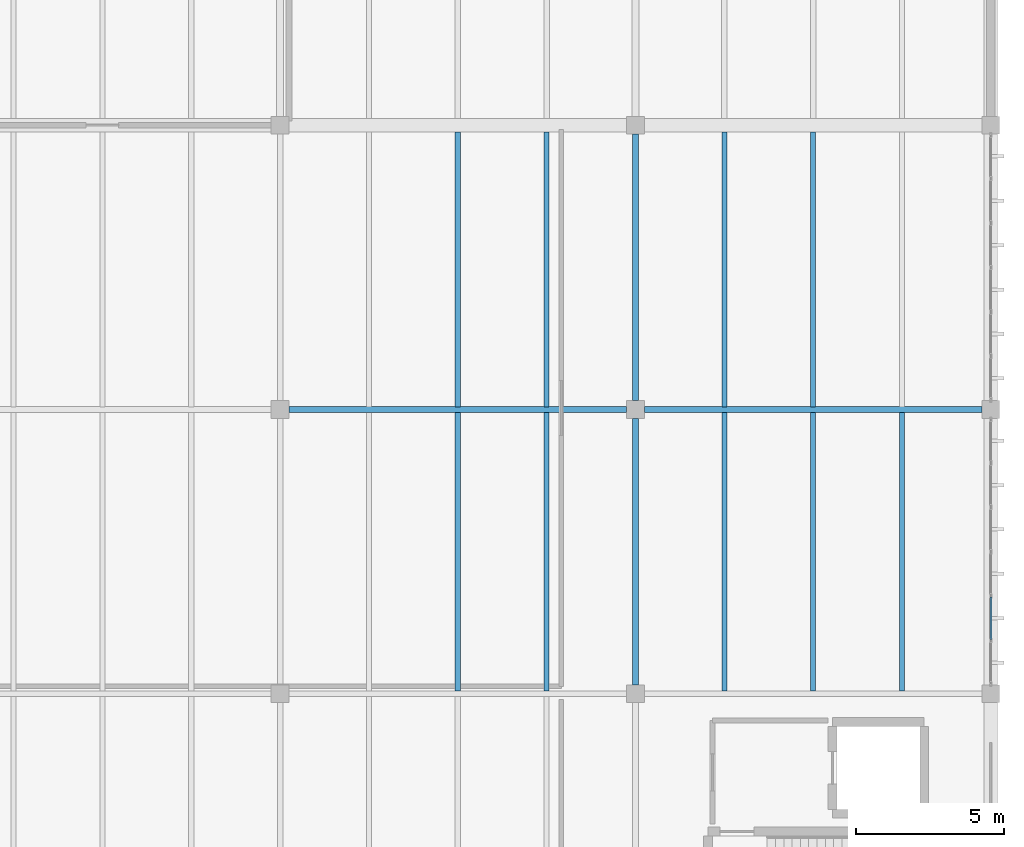
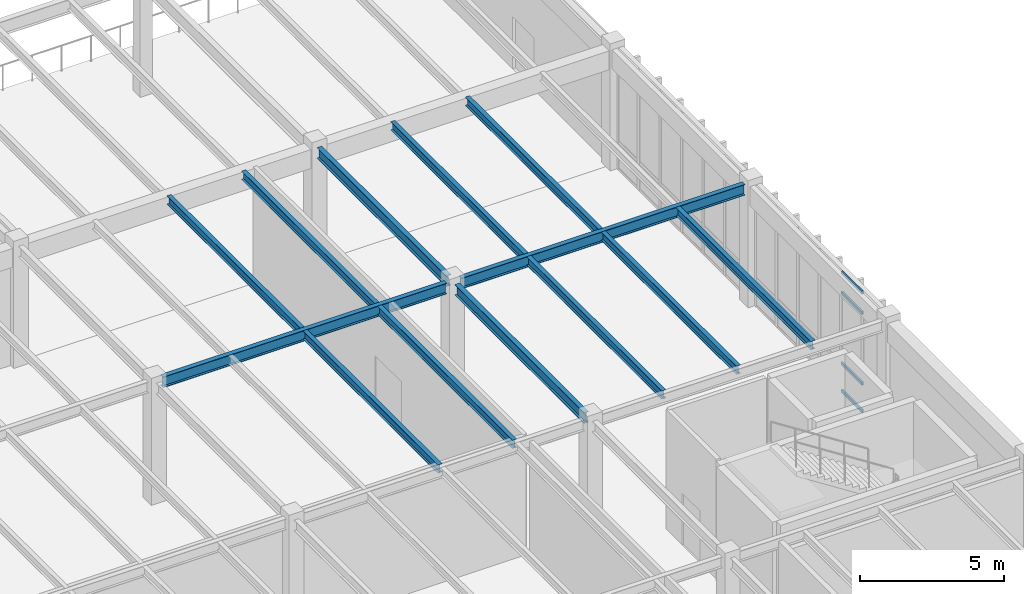
# One storey, part 120 of 188: 13 beams, 4 members, 1 element without a shape of its own.
"""IFC4 building model written with IfcOpenShell, lengths in metres."""

from ifc_helpers import new_model, si_unit, direction, frame, origin, origin_2d, place, context, subcontext, project, spatial, hollow_rectangle, i_section, extrude, material, layer, layer_set, material_profile, profile_set, type_object, element, aggregate, save


model = new_model("IFC4")

# Units and contexts
model_context = context("Model", 3, precision=1e-05, world=origin(), true_north=direction((0.0, 1.0)))
body_context = subcontext(model_context, "Body", "Model", "MODEL_VIEW")
ifc_project = project(units=[si_unit("LENGTHUNIT", "METRE"), si_unit("AREAUNIT", "SQUARE_METRE"), si_unit("VOLUMEUNIT", "CUBIC_METRE"), si_unit("PLANEANGLEUNIT", "RADIAN"), si_unit("MASSUNIT", "GRAM", prefix="KILO")], contexts=[model_context])

# Site, building, storey
site_placement = place(None, origin())
site = spatial("IfcSite", under=ifc_project, at=site_placement, CompositionType="ELEMENT")
building_placement = place(site_placement, origin())
building = spatial("IfcBuilding", under=site, at=building_placement, Name="Pandanus Reach Market Hall", CompositionType="ELEMENT")
storey_placement = place(building_placement, origin())
storey = spatial("IfcBuildingStorey", under=building, at=storey_placement, Name="L00", CompositionType="ELEMENT", Elevation=0.0)

# Beams
ifc_material_1 = material(Name="Steel Grade 350 (350 MPa)", Category="steel")
ifc_material_profile_1 = material_profile(ifc_material_1, i_section(OverallWidth=0.19091796875, OverallDepth=0.4599609375, WebThickness=0.010009765625, FlangeThickness=0.01611328125, at=origin_2d()), Name="460UB82.1", Category="LoadBearing")
ifc_profile_set_1 = profile_set([ifc_material_profile_1], Name="Steel Grade 350 (350 MPa)")
beam_type_1 = type_object("IfcBeamType", Name="BM-UB460H-I", PredefinedType="BEAM", material=ifc_profile_set_1)
for number, where, z_axis, x_axis, name in (
    (1, (156.298095703125, 86.39990234375, 4.89453125), (1.0, 0.0, 0.0), (0.0, 1.0, 0.0), "Framing beam BM-UB460H-I L00.183"),
    (2, (168.298095703125, 86.39990234375, 4.89453125), (1.0, 0.0, 0.0), (0.0, 1.0, 0.0), "Framing beam BM-UB460H-I L00.184"),
):
    element("IfcBeam", number, at=place(storey_placement, frame(where, z_axis=z_axis, x_axis=x_axis)), inside=storey, type_object=beam_type_1, Name=name, PredefinedType="BEAM", context=body_context, shape_type="SweptSolid", body=[
        extrude(i_section(OverallWidth=0.19091796875, OverallDepth=0.4599609375, WebThickness=0.010009765625, FlangeThickness=0.01611328125, at=origin_2d()), origin(), (0.0, 0.0, 1.0), 11.40380859375),
    ])
beam_1_placement = place(storey_placement, frame((168.0, 77.097900390625, 4.89453125), z_axis=(0.0, 1.0, 0.0), x_axis=(-1.0, 0.0, 0.0)))
element("IfcBeam", 3, at=beam_1_placement, inside=storey, type_object=beam_type_1, Name="Framing beam BM-UB460H-I L00.216", PredefinedType="BEAM", context=body_context, shape_type="SweptSolid", body=[
    extrude(i_section(OverallWidth=0.19091796875, OverallDepth=0.4599609375, WebThickness=0.010009765625, FlangeThickness=0.01611328125, at=origin_2d()), origin(), (0.0, 0.0, 1.0), 9.004150390625),
])
beam_2_placement = place(storey_placement, frame((168.0, 86.697998046875, 4.89453125), z_axis=(0.0, 1.0, 0.0), x_axis=(-1.0, 0.0, 0.0)))
element("IfcBeam", 4, at=beam_2_placement, inside=storey, type_object=beam_type_1, Name="Framing beam BM-UB460H-I L00.217", PredefinedType="BEAM", context=body_context, shape_type="SweptSolid", body=[
    extrude(i_section(OverallWidth=0.19091796875, OverallDepth=0.4599609375, WebThickness=0.010009765625, FlangeThickness=0.01611328125, at=origin_2d()), origin(), (0.0, 0.0, 1.0), 9.00390625),
])

# Curtain wall, members
ifc_material_2 = material(Name="Bronze anodised aluminium and low-E glass", Category="aluminium")
ifc_layer = layer(ifc_material_2, 0.159912109375, Name="CW-25")
ifc_layer_set = layer_set([ifc_layer], Name="Bronze anodised aluminium and low-E glass")
curtain_wall_type = type_object("IfcCurtainWallType", Name="CW-25", PredefinedType="NOTDEFINED", material=ifc_layer_set)
curtain_wall_placement = place(storey_placement, origin())
curtain_wall = element("IfcCurtainWall", 5, at=curtain_wall_placement, inside=storey, type_object=curtain_wall_type, Name="Glazed curtain wall CW-25 CW-0073", PredefinedType="NOTDEFINED")
ifc_material_3 = material(Name="Bronze anodised aluminium", Category="aluminium")
ifc_material_profile_2 = material_profile(ifc_material_3, hollow_rectangle(XDim=0.06494140625, YDim=0.1298828125, WallThickness=0.00390625, at=origin_2d()), Name="ALU65x130", Category="LoadBearing")
ifc_profile_set_2 = profile_set([ifc_material_profile_2], Name="Bronze anodised aluminium")
member_type = type_object("IfcMemberType", Name="CW-T1", PredefinedType="USERDEFINED", material=ifc_profile_set_2)
member_1_placement = place(storey_placement, frame((180.0, 78.632568359375, 0.032470703125), z_axis=(0.0, 1.0, 0.0), x_axis=(-1.0, 0.0, 0.0)))
member_1 = element("IfcMember", 6, at=member_1_placement, type_object=member_type, Name="CW-25 transom 2.1", ObjectType="TRANSOM", PredefinedType="USERDEFINED", context=body_context, shape_type="SweptSolid", body=[
    extrude(hollow_rectangle(XDim=0.06494140625, YDim=0.1298828125, WallThickness=0.00390625, at=origin_2d()), origin(), (0.0, 0.0, 1.0), 1.434814453125),
])
member_2_placement = place(storey_placement, frame((180.0, 78.632568359375, 1.199951171875), z_axis=(0.0, 1.0, 0.0), x_axis=(-1.0, 0.0, 0.0)))
member_2 = element("IfcMember", 7, at=member_2_placement, type_object=member_type, Name="CW-25 transom 2.2", ObjectType="TRANSOM", PredefinedType="USERDEFINED", context=body_context, shape_type="SweptSolid", body=[
    extrude(hollow_rectangle(XDim=0.06494140625, YDim=0.1298828125, WallThickness=0.00390625, at=origin_2d()), origin(), (0.0, 0.0, 1.0), 1.434814453125),
])
member_3_placement = place(storey_placement, frame((180.0, 78.632568359375, 4.199951171875), z_axis=(0.0, 1.0, 0.0), x_axis=(-1.0, 0.0, 0.0)))
member_3 = element("IfcMember", 8, at=member_3_placement, type_object=member_type, Name="CW-25 transom 2.3", ObjectType="TRANSOM", PredefinedType="USERDEFINED", context=body_context, shape_type="SweptSolid", body=[
    extrude(hollow_rectangle(XDim=0.06494140625, YDim=0.1298828125, WallThickness=0.00390625, at=origin_2d()), origin(), (0.0, 0.0, 1.0), 1.434814453125),
])
member_4_placement = place(storey_placement, frame((180.0, 78.632568359375, 5.0673828125), z_axis=(0.0, 1.0, 0.0), x_axis=(-1.0, 0.0, 0.0)))
member_4 = element("IfcMember", 9, at=member_4_placement, type_object=member_type, Name="CW-25 transom 2.4", ObjectType="TRANSOM", PredefinedType="USERDEFINED", context=body_context, shape_type="SweptSolid", body=[
    extrude(hollow_rectangle(XDim=0.06494140625, YDim=0.1298828125, WallThickness=0.00390625, at=origin_2d()), origin(), (0.0, 0.0, 1.0), 1.434814453125),
])
aggregate(curtain_wall, [member_1, member_2, member_3, member_4])

# Beams
ifc_material_profile_3 = material_profile(ifc_material_1, i_section(OverallWidth=0.172119140625, OverallDepth=0.35888671875, WebThickness=0.008056640625, FlangeThickness=0.012939453125, at=origin_2d()), Name="360UB56.7", Category="LoadBearing")
ifc_profile_set_3 = profile_set([ifc_material_profile_3], Name="Steel Grade 350 (350 MPa)")
beam_type_2 = type_object("IfcBeamType", Name="JS-UB360H-I", PredefinedType="JOIST", material=ifc_profile_set_3)
for number, where, z_axis, x_axis, name in (
    (10, (162.0, 76.8935546875, 4.945068359375), (0.0, 1.0, 0.0), (-1.0, 0.0, 0.0), "Secondary joist JS-UB360H-I L00.277"),
    (11, (165.0, 76.8935546875, 4.945068359375), (0.0, 1.0, 0.0), (-1.0, 0.0, 0.0), "Secondary joist JS-UB360H-I L00.278"),
):
    element("IfcBeam", number, at=place(storey_placement, frame(where, z_axis=z_axis, x_axis=x_axis)), inside=storey, type_object=beam_type_2, Name=name, PredefinedType="JOIST", context=body_context, shape_type="SweptSolid", body=[
        extrude(i_section(OverallWidth=0.172119140625, OverallDepth=0.35888671875, WebThickness=0.008056640625, FlangeThickness=0.012939453125, at=origin_2d()), origin(), (0.0, 0.0, 1.0), 9.412841796875),
    ])
for number, where, z_axis, x_axis, name in (
    (12, (162.0, 86.493408203125, 4.945068359375), (0.0, 1.0, 0.0), (-1.0, 0.0, 0.0), "Secondary joist JS-UB360H-I L00.280"),
    (13, (165.0, 86.493408203125, 4.945068359375), (0.0, 1.0, 0.0), (-1.0, 0.0, 0.0), "Secondary joist JS-UB360H-I L00.281"),
):
    element("IfcBeam", number, at=place(storey_placement, frame(where, z_axis=z_axis, x_axis=x_axis)), inside=storey, type_object=beam_type_2, Name=name, PredefinedType="JOIST", context=body_context, shape_type="SweptSolid", body=[
        extrude(i_section(OverallWidth=0.172119140625, OverallDepth=0.35888671875, WebThickness=0.008056640625, FlangeThickness=0.012939453125, at=origin_2d()), origin(), (0.0, 0.0, 1.0), 9.28369140625),
    ])
for number, where, z_axis, x_axis, name in (
    (14, (171.0, 76.8935546875, 4.945068359375), (0.0, 1.0, 0.0), (-1.0, 0.0, 0.0), "Secondary joist JS-UB360H-I L00.300"),
    (15, (174.0, 76.8935546875, 4.945068359375), (0.0, 1.0, 0.0), (-1.0, 0.0, 0.0), "Secondary joist JS-UB360H-I L00.301"),
    (16, (177.0, 76.8935546875, 4.945068359375), (0.0, 1.0, 0.0), (-1.0, 0.0, 0.0), "Secondary joist JS-UB360H-I L00.302"),
):
    element("IfcBeam", number, at=place(storey_placement, frame(where, z_axis=z_axis, x_axis=x_axis)), inside=storey, type_object=beam_type_2, Name=name, PredefinedType="JOIST", context=body_context, shape_type="SweptSolid", body=[
        extrude(i_section(OverallWidth=0.172119140625, OverallDepth=0.35888671875, WebThickness=0.008056640625, FlangeThickness=0.012939453125, at=origin_2d()), origin(), (0.0, 0.0, 1.0), 9.412841796875),
    ])
for number, where, z_axis, x_axis, name in (
    (17, (171.0, 86.493408203125, 4.945068359375), (0.0, 1.0, 0.0), (-1.0, 0.0, 0.0), "Secondary joist JS-UB360H-I L00.303"),
    (18, (174.0, 86.493408203125, 4.945068359375), (0.0, 1.0, 0.0), (-1.0, 0.0, 0.0), "Secondary joist JS-UB360H-I L00.304"),
):
    element("IfcBeam", number, at=place(storey_placement, frame(where, z_axis=z_axis, x_axis=x_axis)), inside=storey, type_object=beam_type_2, Name=name, PredefinedType="JOIST", context=body_context, shape_type="SweptSolid", body=[
        extrude(i_section(OverallWidth=0.172119140625, OverallDepth=0.35888671875, WebThickness=0.008056640625, FlangeThickness=0.012939453125, at=origin_2d()), origin(), (0.0, 0.0, 1.0), 9.28369140625),
    ])

save(model, "model.ifc")
